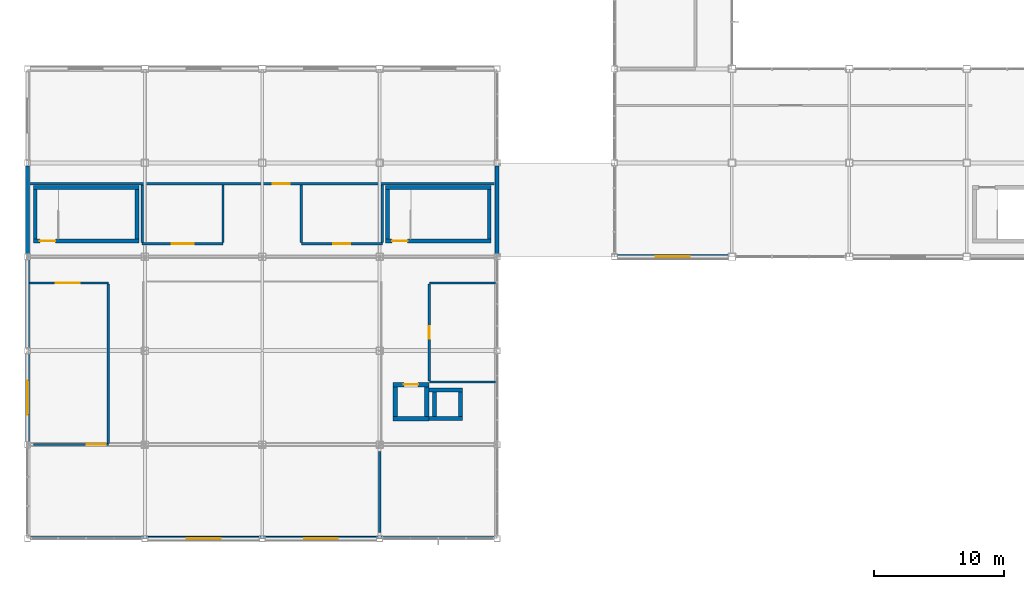
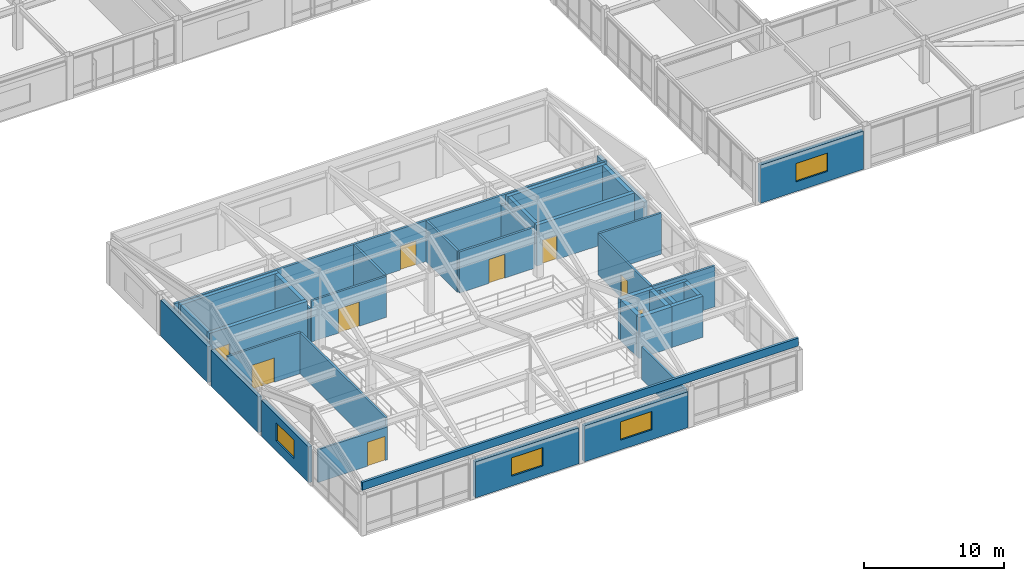
# One storey, part 92 of 113: 38 walls, 9 doors, 4 windows, 13 openings.
"""IFC4 building model written with IfcOpenShell, lengths in metres."""

import ifcopenshell
import ifcopenshell.guid

model = None  # the IFC model being written
_history = None  # IfcOwnerHistory: only IFC2X3 demands one
_inside = {}  # id of a spatial element -> (the spatial element, [elements in it])
_under = {}  # id of a project, library or spatial element -> (it, [spatial elements below it])
_declared = {}  # id of a project -> (the project, [libraries it declares])
_typed = {}  # id of a type object -> (the type object, [elements of that type])
_made_of = {}  # id of a material, layer set ... -> (it, [elements and type objects made of it])


def new_model(schema):
    """Start an empty IFC model of exactly this schema.

    Asked for "IFC4X3", IfcOpenShell would pick the latest addendum, in which some entities
    have other attributes; the version numbers below select the first issue.
    IFC2X3 requires an IfcOwnerHistory on every rooted entity: one is made here for all.
    """
    global model, _history
    if schema == "IFC4X3":
        model = ifcopenshell.file(schema_version=(4, 3, 0, 0))
    else:
        model = ifcopenshell.file(schema=schema)
    _inside.clear()
    _under.clear()
    _declared.clear()
    _typed.clear()
    _made_of.clear()
    _history = None
    if model.schema == "IFC2X3":
        org = make("IfcOrganization", Name="unknown")
        user = make(
            "IfcPersonAndOrganization",
            ThePerson=make("IfcPerson", FamilyName="unknown"),
            TheOrganization=org,
        )
        app = make(
            "IfcApplication",
            ApplicationDeveloper=org,
            Version="unknown",
            ApplicationFullName="unknown",
            ApplicationIdentifier="unknown",
        )
        _history = make(
            "IfcOwnerHistory",
            OwningUser=user,
            OwningApplication=app,
            ChangeAction="ADDED",
            CreationDate=0,
        )
    return model


def make(cls, **values):
    """One entity of the class cls with the attributes given. An attribute that is None is left unset."""
    return model.create_entity(
        cls, **{name: value for name, value in values.items() if value is not None}
    )


def rooted(cls, **values):
    """An entity with a GlobalId (a new one), such as an element, a storey or a relation."""
    return make(cls, GlobalId=ifcopenshell.guid.new(), OwnerHistory=_history, **values)


def si_unit(unit_type, name, prefix=None):
    """IfcSIUnit, for example si_unit("LENGTHUNIT", "METRE", prefix="MILLI")."""
    return make("IfcSIUnit", UnitType=unit_type, Prefix=prefix, Name=name)


def assignment(units):
    """IfcUnitAssignment: the units of a project."""
    return None if units is None else make("IfcUnitAssignment", Units=units)


def point(xyz):
    """IfcCartesianPoint."""
    return None if xyz is None else make("IfcCartesianPoint", Coordinates=xyz)


def direction(xyz):
    """IfcDirection."""
    return None if xyz is None else make("IfcDirection", DirectionRatios=xyz)


def frame(location, z_axis=None, x_axis=None):
    """IfcAxis2Placement3D, a coordinate frame: its origin and axes. An axis left out is left unset."""
    return make(
        "IfcAxis2Placement3D",
        Location=point(location),
        Axis=direction(z_axis),
        RefDirection=direction(x_axis),
    )


def frame_2d(location, x_axis=None):
    """IfcAxis2Placement2D, a coordinate frame in the plane: its origin and x axis."""
    return make(
        "IfcAxis2Placement2D", Location=point(location), RefDirection=direction(x_axis)
    )


def origin():
    """The frame at (0, 0, 0) with its axes left unset."""
    return frame((0.0, 0.0, 0.0))


def place(relative_to, where):
    """IfcLocalPlacement: puts the frame where relative to a parent placement (None: the world)."""
    return make(
        "IfcLocalPlacement", PlacementRelTo=relative_to, RelativePlacement=where
    )


def context(
    kind, dimensions, precision=None, world=None, true_north=None, identifier=None
):
    """IfcGeometricRepresentationContext, for example the 3D "Model" context."""
    return make(
        "IfcGeometricRepresentationContext",
        ContextIdentifier=identifier,
        ContextType=kind,
        CoordinateSpaceDimension=dimensions,
        Precision=precision,
        WorldCoordinateSystem=world,
        TrueNorth=true_north,
    )


def subcontext(parent, identifier, kind, view, scale=None):
    """IfcGeometricRepresentationSubContext, for example "Body" below "Model"."""
    return make(
        "IfcGeometricRepresentationSubContext",
        ContextIdentifier=identifier,
        ContextType=kind,
        ParentContext=parent,
        TargetScale=scale,
        TargetView=view,
    )


def project(units=None, contexts=None):
    """IfcProject with its units and contexts."""
    return rooted(
        "IfcProject",
        Name="project",
        RepresentationContexts=contexts,
        UnitsInContext=assignment(units),
    )


def spatial(cls, under=None, at=None, **own):
    """A site, building, storey or space (cls), placed at a placement, below another one or the project."""
    s = rooted(cls, ObjectPlacement=at, **own)
    if under is not None:
        _under.setdefault(under.id(), (under, []))[1].append(s)
    return s


def profile(cls, at=None, kind="AREA", **sizes):
    """A parametric profile (cls). Its sizes go by their IFC names, for example OverallWidth=200.0."""
    return make(cls, ProfileType=kind, Position=at, **sizes)


def rectangle(**sizes):
    """IfcRectangleProfileDef."""
    return profile("IfcRectangleProfileDef", **sizes)


def extrude(swept, where, along, depth):
    """IfcExtrudedAreaSolid: the profile swept, set in the frame where, extruded along a direction by depth."""
    return make(
        "IfcExtrudedAreaSolid",
        SweptArea=swept,
        Position=where,
        ExtrudedDirection=direction(along),
        Depth=depth,
    )


def shape(context_of_items, identifier, shape_type, items):
    """IfcShapeRepresentation: the items that make up one representation, for example the "Body"."""
    return make(
        "IfcShapeRepresentation",
        ContextOfItems=context_of_items,
        RepresentationIdentifier=identifier,
        RepresentationType=shape_type,
        Items=items,
    )


def material(Name=None, Category=None):
    """IfcMaterial."""
    return make("IfcMaterial", Name=Name, Category=Category)


def layer(
    of_material, thickness, ventilated=None, Name=None, Category=None, Priority=None
):
    """IfcMaterialLayer: one layer of a wall or slab, of a material (None: an air gap)."""
    return make(
        "IfcMaterialLayer",
        Material=of_material,
        LayerThickness=thickness,
        IsVentilated=ventilated,
        Name=Name,
        Category=Category,
        Priority=Priority,
    )


def layer_set(layers, Name=None):
    """IfcMaterialLayerSet."""
    return make("IfcMaterialLayerSet", MaterialLayers=layers, LayerSetName=Name)


def made_of(thing, what):
    """Note that an element or type object is made of a material, layer set ...; save() writes the relation."""
    if what is not None:
        _made_of.setdefault(what.id(), (what, []))[1].append(thing)
    return thing


def type_object(cls, material=None, **own):
    """A type object (cls), such as IfcWallType, which elements share."""
    return made_of(rooted(cls, **own), material)


def element(
    cls,
    number,
    at=None,
    inside=None,
    cuts=None,
    type_object=None,
    material=None,
    context=None,
    identifier="Body",
    shape_type=None,
    held_by="IfcProductDefinitionShape",
    body=None,
    shapes=None,
    **own,
):
    """One element of the class cls, such as IfcWall. Its Tag is "e" and its number.

    at: its placement. inside: the storey or other place that contains it. cuts: it is an
    opening in that element (IfcRelVoidsElement). A single representation is given by context,
    identifier, shape_type and body (its items); several are given by shapes. held_by: the class
    of the entity that holds the representations. save() writes the other relations.
    """
    e = rooted(cls, Tag="e%d" % number, ObjectPlacement=at, **own)
    if body is not None:
        shapes = [shape(context, identifier, shape_type, body)]
    if shapes is not None:
        e.Representation = make(held_by, Representations=shapes)
    if inside is not None:
        _inside.setdefault(inside.id(), (inside, []))[1].append(e)
    if cuts is not None:
        rooted(
            "IfcRelVoidsElement", RelatingBuildingElement=cuts, RelatedOpeningElement=e
        )
    if type_object is not None:
        _typed.setdefault(type_object.id(), (type_object, []))[1].append(e)
    return made_of(e, material)


def fill(opening, filler):
    """IfcRelFillsElement: the door or window that sits in an opening."""
    return rooted(
        "IfcRelFillsElement",
        RelatingOpeningElement=opening,
        RelatedBuildingElement=filler,
    )


def aggregate(whole, parts):
    """IfcRelAggregates: a whole, such as a stair, and the parts it consists of."""
    return rooted("IfcRelAggregates", RelatingObject=whole, RelatedObjects=parts)


def save(model, path):
    """Write the relations noted so far, then the file.

    IfcRelAggregates (storeys below a building ...), IfcRelContainedInSpatialStructure (elements
    in a storey), IfcRelDefinesByType, IfcRelAssociatesMaterial and IfcRelDeclares: one each for
    every whole, place, type object, material and project.
    """
    for whole, parts in _under.values():
        aggregate(whole, parts)
    for where, things in _inside.values():
        rooted(
            "IfcRelContainedInSpatialStructure",
            RelatedElements=things,
            RelatingStructure=where,
        )
    for kind, things in _typed.values():
        rooted("IfcRelDefinesByType", RelatedObjects=things, RelatingType=kind)
    for what, things in _made_of.values():
        rooted("IfcRelAssociatesMaterial", RelatedObjects=things, RelatingMaterial=what)
    for by, libraries in _declared.values():
        rooted("IfcRelDeclares", RelatingContext=by, RelatedDefinitions=libraries)
    model.write(path)


model = new_model("IFC4")

# Units and contexts
model_context = context("Model", 3, precision=1e-05, world=origin(), true_north=direction((0.0, 1.0)))
body_context = subcontext(model_context, "Body", "Model", "MODEL_VIEW")
ifc_project = project(units=[si_unit("LENGTHUNIT", "METRE"), si_unit("AREAUNIT", "SQUARE_METRE"), si_unit("VOLUMEUNIT", "CUBIC_METRE"), si_unit("PLANEANGLEUNIT", "RADIAN"), si_unit("MASSUNIT", "GRAM", prefix="KILO")], contexts=[model_context])

# Site, building, storey
site_placement = place(None, origin())
site = spatial("IfcSite", under=ifc_project, at=site_placement, CompositionType="ELEMENT")
building_placement = place(site_placement, origin())
building = spatial("IfcBuilding", under=site, at=building_placement, Name="Kazanami Central Library", CompositionType="ELEMENT")
storey_placement = place(building_placement, frame((0.0, 0.0, 8.800048828125)))
storey = spatial("IfcBuildingStorey", under=building, at=storey_placement, Name="L03", CompositionType="ELEMENT", Elevation=8.800048828125)

# Wall, opening, window
ifc_material_1 = material(Name="Concrete Fc36 (36 MPa)", Category="concrete")
ifc_layer_1 = layer(ifc_material_1, 0.219970703125, Name="Concrete Fc36 (36 MPa)")
ifc_material_2 = material(Name="Extruded Polystyrene XPS", Category="earth")
ifc_layer_2 = layer(ifc_material_2, 0.050048828125, Name="Extruded Polystyrene XPS")
ifc_material_3 = material(Name="Honed Inada Granite", Category="masonry")
ifc_layer_3 = layer(ifc_material_3, 0.030029296875, Name="Honed Inada Granite")
ifc_layer_set_1 = layer_set([ifc_layer_1, ifc_layer_2, ifc_layer_3], Name="Concrete Fc36 (36 MPa)")
wall_type_1 = type_object("IfcWallType", Name="WAL-EW-300", PredefinedType="STANDARD", material=ifc_layer_set_1)
wall_1_placement = place(storey_placement, frame((0.0, 7.425048828125, 0.0), z_axis=(0.0, 0.0, 1.0), x_axis=(0.0, 1.0, 0.0)))
wall_1 = element("IfcWall", 1, at=wall_1_placement, inside=storey, type_object=wall_type_1, Name="Exterior Facade Wall EW-300 L03 W-1-01", PredefinedType="STANDARD", context=body_context, shape_type="SweptSolid", body=[
    extrude(rectangle(XDim=6.75, YDim=0.300048828125, at=frame_2d((3.375, 0.0))), origin(), (0.0, 0.0, 1.0), 3.1298828125),
])
opening_1_placement = place(wall_1_placement, frame((2.074951171875, 0.0, 0.85009765625)))
opening_1 = element("IfcOpeningElement", 2, at=opening_1_placement, cuts=wall_1, Name="Opening WN-13", PredefinedType="OPENING", context=body_context, shape_type="SweptSolid", body=[
    extrude(rectangle(XDim=2.60009765625, YDim=1.60009765625, at=frame_2d((1.300048828125, 0.800048828125))), frame((0.0, 0.162109375, 0.0), z_axis=(0.0, -1.0, 0.0), x_axis=(1.0, 0.0, 0.0)), (0.0, 0.0, 1.0), 0.323974609375),
])
ifc_material_4 = material(Name="Low-E Insulated Triple Glass", Category="glass")
window_type = type_object("IfcWindowType", Name="WIN-WN-13", PartitioningType="DOUBLE_PANEL_VERTICAL", PredefinedType="WINDOW", material=ifc_material_4)
window_1_placement = place(opening_1_placement, origin())
window_1 = element("IfcWindow", 3, at=window_1_placement, inside=storey, type_object=window_type, Name="Facade Window WN-13 L03 W-1-01", OverallHeight=1.60009765625, OverallWidth=2.60009765625, PartitioningType="DOUBLE_PANEL_VERTICAL", PredefinedType="WINDOW", context=body_context, shape_type="SweptSolid", body=[
    extrude(rectangle(XDim=2.60009765625, YDim=1.60009765625, at=frame_2d((1.300048828125, 0.800048828125))), frame((0.0, 0.030029296875, 0.0), z_axis=(0.0, -1.0, 0.0), x_axis=(1.0, 0.0, 0.0)), (0.0, 0.0, 1.0), 0.06005859375),
])
fill(opening_1, window_1)

# Walls
for number, where, z_axis, x_axis, name in (
    (4, (0.0, 14.625, 0.0), (0.0, 0.0, 1.0), (0.0, 1.0, 0.0), "Exterior Facade Wall EW-300 L03 W-1-02"),
    (5, (0.0, 21.824951171875, 0.0), (0.0, 0.0, 1.0), (0.0, 1.0, 0.0), "Exterior Facade Wall EW-300 L03 W-1-03"),
    (6, (36.0, 28.574951171875, 0.0), (0.0, 0.0, 1.0), (0.0, -1.0, 0.0), "Exterior Facade Wall EW-300 L03 E-5-03"),
):
    element("IfcWall", number, at=place(storey_placement, frame(where, z_axis=z_axis, x_axis=x_axis)), inside=storey, type_object=wall_type_1, Name=name, PredefinedType="STANDARD", context=body_context, shape_type="SweptSolid", body=[
        extrude(rectangle(XDim=6.75, YDim=0.300048828125, at=frame_2d((3.375, 0.0))), origin(), (0.0, 0.0, 1.0), 3.1298828125),
    ])

# Wall, opening, window
ifc_layer_4 = layer(ifc_material_1, 0.239990234375, Name="Concrete Fc36 (36 MPa)")
ifc_layer_5 = layer(ifc_material_2, 0.050048828125, Name="Extruded Polystyrene XPS")
ifc_layer_6 = layer(ifc_material_3, 0.030029296875, Name="Honed Inada Granite")
ifc_layer_set_2 = layer_set([ifc_layer_4, ifc_layer_5, ifc_layer_6], Name="Concrete Fc36 (36 MPa)")
wall_type_2 = type_object("IfcWallType", Name="WAL-EW-320", PredefinedType="STANDARD", material=ifc_layer_set_2)
wall_2_placement = place(storey_placement, frame((9.22509765625, 0.0, 0.0), z_axis=(0.0, 0.0, 1.0), x_axis=(1.0, 0.0, 0.0)))
wall_2 = element("IfcWall", 7, at=wall_2_placement, inside=storey, type_object=wall_type_2, Name="Exterior Facade Wall EW-320 L03 S-A-01", PredefinedType="STANDARD", context=body_context, shape_type="SweptSolid", body=[
    extrude(rectangle(XDim=8.5498046875, YDim=0.320068359375, at=frame_2d((4.27490234375, 0.0))), origin(), (0.0, 0.0, 1.0), 3.1298828125),
])
opening_2_placement = place(wall_2_placement, frame((2.97509765625, 0.0, 0.85009765625)))
opening_2 = element("IfcOpeningElement", 8, at=opening_2_placement, cuts=wall_2, Name="Opening WN-13", PredefinedType="OPENING", context=body_context, shape_type="SweptSolid", body=[
    extrude(rectangle(XDim=2.60009765625, YDim=1.60009765625, at=frame_2d((1.300048828125, 0.800048828125))), frame((0.0, 0.171875, 0.0), z_axis=(0.0, -1.0, 0.0), x_axis=(1.0, 0.0, 0.0)), (0.0, 0.0, 1.0), 0.343994140625),
])
window_2_placement = place(opening_2_placement, origin())
window_2 = element("IfcWindow", 9, at=window_2_placement, inside=storey, type_object=window_type, Name="Facade Window WN-13 L03 S-A-01", OverallHeight=1.60009765625, OverallWidth=2.60009765625, PartitioningType="DOUBLE_PANEL_VERTICAL", PredefinedType="WINDOW", context=body_context, shape_type="SweptSolid", body=[
    extrude(rectangle(XDim=2.60009765625, YDim=1.60009765625, at=frame_2d((1.300048828125, 0.800048828125))), frame((0.0, 0.030029296875, 0.0), z_axis=(0.0, -1.0, 0.0), x_axis=(1.0, 0.0, 0.0)), (0.0, 0.0, 1.0), 0.06005859375),
])
fill(opening_2, window_2)

wall_3_placement = place(storey_placement, frame((18.22509765625, 0.0, 0.0), z_axis=(0.0, 0.0, 1.0), x_axis=(1.0, 0.0, 0.0)))
wall_3 = element("IfcWall", 10, at=wall_3_placement, inside=storey, type_object=wall_type_2, Name="Exterior Facade Wall EW-320 L03 S-A-02", PredefinedType="STANDARD", context=body_context, shape_type="SweptSolid", body=[
    extrude(rectangle(XDim=8.5498046875, YDim=0.320068359375, at=frame_2d((4.27490234375, 0.0))), origin(), (0.0, 0.0, 1.0), 3.1298828125),
])
opening_3_placement = place(wall_3_placement, frame((2.97509765625, 0.0, 0.85009765625)))
opening_3 = element("IfcOpeningElement", 11, at=opening_3_placement, cuts=wall_3, Name="Opening WN-13", PredefinedType="OPENING", context=body_context, shape_type="SweptSolid", body=[
    extrude(rectangle(XDim=2.60009765625, YDim=1.60009765625, at=frame_2d((1.300048828125, 0.800048828125))), frame((0.0, 0.171875, 0.0), z_axis=(0.0, -1.0, 0.0), x_axis=(1.0, 0.0, 0.0)), (0.0, 0.0, 1.0), 0.343994140625),
])
window_3_placement = place(opening_3_placement, origin())
window_3 = element("IfcWindow", 12, at=window_3_placement, inside=storey, type_object=window_type, Name="Facade Window WN-13 L03 S-A-02", OverallHeight=1.60009765625, OverallWidth=2.60009765625, PartitioningType="DOUBLE_PANEL_VERTICAL", PredefinedType="WINDOW", context=body_context, shape_type="SweptSolid", body=[
    extrude(rectangle(XDim=2.60009765625, YDim=1.60009765625, at=frame_2d((1.300048828125, 0.800048828125))), frame((0.0, 0.030029296875, 0.0), z_axis=(0.0, -1.0, 0.0), x_axis=(1.0, 0.0, 0.0)), (0.0, 0.0, 1.0), 0.06005859375),
])
fill(opening_3, window_3)

wall_4_placement = place(storey_placement, frame((45.22509765625, 21.60009765625, 0.0), z_axis=(0.0, 0.0, 1.0), x_axis=(1.0, 0.0, 0.0)))
wall_4 = element("IfcWall", 13, at=wall_4_placement, inside=storey, type_object=wall_type_2, Name="Exterior Facade Wall EW-320 L03 S-D-05", PredefinedType="STANDARD", context=body_context, shape_type="SweptSolid", body=[
    extrude(rectangle(XDim=8.5, YDim=0.320068359375, at=frame_2d((4.25, 0.0))), origin(), (0.0, 0.0, 1.0), 3.329833984375),
])
opening_4_placement = place(wall_4_placement, frame((2.949951171875, 0.0, 0.85009765625)))
opening_4 = element("IfcOpeningElement", 14, at=opening_4_placement, cuts=wall_4, Name="Opening WN-13", PredefinedType="OPENING", context=body_context, shape_type="SweptSolid", body=[
    extrude(rectangle(XDim=2.60009765625, YDim=1.60009765625, at=frame_2d((1.300048828125, 0.800048828125))), frame((0.0, 0.171875, 0.0), z_axis=(0.0, -1.0, 0.0), x_axis=(1.0, 0.0, 0.0)), (0.0, 0.0, 1.0), 0.343994140625),
])
window_4_placement = place(opening_4_placement, origin())
window_4 = element("IfcWindow", 15, at=window_4_placement, inside=storey, type_object=window_type, Name="Facade Window WN-13 L03 S-D-05", OverallHeight=1.60009765625, OverallWidth=2.60009765625, PartitioningType="DOUBLE_PANEL_VERTICAL", PredefinedType="WINDOW", context=body_context, shape_type="SweptSolid", body=[
    extrude(rectangle(XDim=2.60009765625, YDim=1.60009765625, at=frame_2d((1.300048828125, 0.800048828125))), frame((0.0, 0.030029296875, 0.0), z_axis=(0.0, -1.0, 0.0), x_axis=(1.0, 0.0, 0.0)), (0.0, 0.0, 1.0), 0.06005859375),
])
fill(opening_4, window_4)

# Wall, opening, door
ifc_material_5 = material(Name="Fire-Resistant Gypsum Board GB-F", Category="gypsum")
ifc_layer_7 = layer(ifc_material_5, 0.1650390625, Name="Fire-Resistant Gypsum Board GB-F")
ifc_layer_set_3 = layer_set([ifc_layer_7], Name="Fire-Resistant Gypsum Board GB-F")
wall_type_3 = type_object("IfcWallType", Name="WAL-FW-165", PredefinedType="PARTITIONING", material=ifc_layer_set_3)
wall_5_placement = place(storey_placement, frame((0.455078125, 7.199951171875, 0.0), z_axis=(0.0, 0.0, 1.0), x_axis=(1.0, 0.0, 0.0)))
wall_5 = element("IfcWall", 16, at=wall_5_placement, inside=storey, type_object=wall_type_3, Name="Interior Partition FW-165 L03 RM-04 (South)", PredefinedType="PARTITIONING", context=body_context, shape_type="SweptSolid", body=[
    extrude(rectangle(XDim=5.744873046875, YDim=0.1650390625, at=frame_2d((2.87255859375, 0.0))), origin(), (0.0, 0.0, 1.0), 2.85986328125),
])
opening_5_placement = place(wall_5_placement, frame((4.094970703125, 0.0, 0.0)))
opening_5 = element("IfcOpeningElement", 17, at=opening_5_placement, cuts=wall_5, Name="Opening FD30-6", PredefinedType="OPENING", context=body_context, shape_type="SweptSolid", body=[
    extrude(rectangle(XDim=1.449951171875, YDim=2.10009765625, at=frame_2d((0.72509765625, 1.050048828125))), frame((0.0, 0.094482421875, 0.0), z_axis=(0.0, -1.0, 0.0), x_axis=(1.0, 0.0, 0.0)), (0.0, 0.0, 1.0), 0.18896484375),
])
ifc_material_6 = material(Name="Cold-Rolled Steel SPCC", Category="steel")
door_type_1 = type_object("IfcDoorType", Name="DOR-FD30-6", OperationType="DOUBLE_DOOR_SINGLE_SWING", PredefinedType="DOOR", material=ifc_material_6)
door_1_placement = place(opening_5_placement, origin())
door_1 = element("IfcDoor", 18, at=door_1_placement, inside=storey, type_object=door_type_1, Name="Interior Door FD30-6 L03 RM-05", OperationType="DOUBLE_DOOR_SINGLE_SWING", OverallHeight=2.10009765625, OverallWidth=1.449951171875, PredefinedType="DOOR", context=body_context, shape_type="SweptSolid", body=[
    extrude(rectangle(XDim=1.449951171875, YDim=2.10009765625, at=frame_2d((0.72509765625, 1.050048828125))), frame((0.0, 0.02490234375, 0.0), z_axis=(0.0, -1.0, 0.0), x_axis=(1.0, 0.0, 0.0)), (0.0, 0.0, 1.0), 0.050048828125),
])
fill(opening_5, door_1)

wall_6_placement = place(storey_placement, frame((0.155029296875, 19.60009765625, 0.0), z_axis=(0.0, 0.0, 1.0), x_axis=(1.0, 0.0, 0.0)))
wall_6 = element("IfcWall", 19, at=wall_6_placement, inside=storey, type_object=wall_type_3, Name="Interior Partition FW-165 L03 RM-04 (North)", PredefinedType="PARTITIONING", context=body_context, shape_type="SweptSolid", body=[
    extrude(rectangle(XDim=6.044921875, YDim=0.1650390625, at=frame_2d((3.0224609375, 0.0))), origin(), (0.0, 0.0, 1.0), 3.579833984375),
])
opening_6_placement = place(wall_6_placement, frame((2.02001953125, 0.0, 0.0)))
opening_6 = element("IfcOpeningElement", 20, at=opening_6_placement, cuts=wall_6, Name="Opening FD30-5", PredefinedType="OPENING", context=body_context, shape_type="SweptSolid", body=[
    extrude(rectangle(XDim=1.85009765625, YDim=2.1201171875, at=frame_2d((0.925048828125, 1.06005859375))), frame((0.0, 0.094482421875, 0.0), z_axis=(0.0, -1.0, 0.0), x_axis=(1.0, 0.0, 0.0)), (0.0, 0.0, 1.0), 0.18896484375),
])
door_type_2 = type_object("IfcDoorType", Name="DOR-FD30-5", OperationType="DOUBLE_DOOR_SINGLE_SWING", PredefinedType="DOOR", material=ifc_material_6)
door_2_placement = place(opening_6_placement, origin())
door_2 = element("IfcDoor", 21, at=door_2_placement, inside=storey, type_object=door_type_2, Name="Interior Door FD30-5 L03 RM-04", OperationType="DOUBLE_DOOR_SINGLE_SWING", OverallHeight=2.1201171875, OverallWidth=1.85009765625, PredefinedType="DOOR", context=body_context, shape_type="SweptSolid", body=[
    extrude(rectangle(XDim=1.85009765625, YDim=2.1201171875, at=frame_2d((0.925048828125, 1.06005859375))), frame((0.0, 0.02490234375, 0.0), z_axis=(0.0, -1.0, 0.0), x_axis=(1.0, 0.0, 0.0)), (0.0, 0.0, 1.0), 0.050048828125),
])
fill(opening_6, door_2)

# Walls
wall_7_placement = place(storey_placement, frame((6.199951171875, 7.2900390625, 0.0), z_axis=(0.0, 0.0, 1.0), x_axis=(0.0, 1.0, 0.0)))
element("IfcWall", 22, at=wall_7_placement, inside=storey, type_object=wall_type_3, Name="Interior Partition FW-165 L03 RM-04 (East)", PredefinedType="PARTITIONING", context=body_context, shape_type="SweptSolid", body=[
    extrude(rectangle(XDim=12.219970703125, YDim=0.1650390625, at=frame_2d((6.10986328125, 0.0))), origin(), (0.0, 0.0, 1.0), 3.579833984375),
])
for number, where, z_axis, x_axis, name in (
    (23, (30.800048828125, 12.0, 0.0), (0.0, 0.0, 1.0), (1.0, 0.0, 0.0), "Interior Partition FW-165 L03 RM-07 (South)"),
    (24, (30.800048828125, 19.60009765625, 0.0), (0.0, 0.0, 1.0), (1.0, 0.0, 0.0), "Interior Partition FW-165 L03 RM-07 (North)"),
):
    element("IfcWall", number, at=place(storey_placement, frame(where, z_axis=z_axis, x_axis=x_axis)), inside=storey, type_object=wall_type_3, Name=name, PredefinedType="PARTITIONING", context=body_context, shape_type="SweptSolid", body=[
        extrude(rectangle(XDim=5.1650390625, YDim=0.1650390625, at=frame_2d((2.58251953125, 0.0))), origin(), (0.0, 0.0, 1.0), 3.579833984375),
    ])

# Wall, opening, door
wall_8_placement = place(storey_placement, frame((30.800048828125, 12.090087890625, 0.0), z_axis=(0.0, 0.0, 1.0), x_axis=(0.0, 1.0, 0.0)))
wall_8 = element("IfcWall", 25, at=wall_8_placement, inside=storey, type_object=wall_type_3, Name="Interior Partition FW-165 L03 RM-07 (West)", PredefinedType="PARTITIONING", context=body_context, shape_type="SweptSolid", body=[
    extrude(rectangle(XDim=7.419921875, YDim=0.1650390625, at=frame_2d((3.7099609375, 0.0))), origin(), (0.0, 0.0, 1.0), 3.579833984375),
])
opening_7_placement = place(wall_8_placement, frame((3.219970703125, 0.0, 0.0)))
opening_7 = element("IfcOpeningElement", 26, at=opening_7_placement, cuts=wall_8, Name="Opening FD30-3", PredefinedType="OPENING", context=body_context, shape_type="SweptSolid", body=[
    extrude(rectangle(XDim=0.97998046875, YDim=2.02001953125, at=frame_2d((0.489990234375, 1.010009765625))), frame((0.0, 0.094482421875, 0.0), z_axis=(0.0, -1.0, 0.0), x_axis=(1.0, 0.0, 0.0)), (0.0, 0.0, 1.0), 0.18896484375),
])
door_type_3 = type_object("IfcDoorType", Name="DOR-FD30-3", OperationType="NOTDEFINED", PredefinedType="DOOR", material=ifc_material_6)
door_3_placement = place(opening_7_placement, origin())
door_3 = element("IfcDoor", 27, at=door_3_placement, inside=storey, type_object=door_type_3, Name="Interior Door FD30-3 L03 RM-07", OperationType="SINGLE_SWING_RIGHT", OverallHeight=2.02001953125, OverallWidth=0.97998046875, PredefinedType="DOOR", context=body_context, shape_type="SweptSolid", body=[
    extrude(rectangle(XDim=0.97998046875, YDim=2.02001953125, at=frame_2d((0.489990234375, 1.010009765625))), frame((0.0, 0.02490234375, 0.0), z_axis=(0.0, -1.0, 0.0), x_axis=(1.0, 0.0, 0.0)), (0.0, 0.0, 1.0), 0.050048828125),
])
fill(opening_7, door_3)

wall_9_placement = place(storey_placement, frame((8.800048828125, 22.60009765625, 0.0), z_axis=(0.0, 0.0, 1.0), x_axis=(1.0, 0.0, 0.0)))
wall_9 = element("IfcWall", 28, at=wall_9_placement, inside=storey, type_object=wall_type_3, Name="Interior Partition FW-165 L03 RM-10 (South)", PredefinedType="PARTITIONING", context=body_context, shape_type="SweptSolid", body=[
    extrude(rectangle(XDim=6.199951171875, YDim=0.1650390625, at=frame_2d((3.10009765625, 0.0))), origin(), (0.0, 0.0, 1.0), 3.579833984375),
])
opening_8_placement = place(wall_9_placement, frame((2.25, 0.0, 0.0)))
opening_8 = element("IfcOpeningElement", 29, at=opening_8_placement, cuts=wall_9, Name="Opening FD30-4", PredefinedType="OPENING", context=body_context, shape_type="SweptSolid", body=[
    extrude(rectangle(XDim=1.699951171875, YDim=2.1201171875, at=frame_2d((0.85009765625, 1.06005859375))), frame((0.0, 0.094482421875, 0.0), z_axis=(0.0, -1.0, 0.0), x_axis=(1.0, 0.0, 0.0)), (0.0, 0.0, 1.0), 0.18896484375),
])
door_type_4 = type_object("IfcDoorType", Name="DOR-FD30-4", OperationType="DOUBLE_DOOR_SINGLE_SWING", PredefinedType="DOOR", material=ifc_material_6)
door_4_placement = place(opening_8_placement, origin())
door_4 = element("IfcDoor", 30, at=door_4_placement, inside=storey, type_object=door_type_4, Name="Interior Door FD30-4 L03 RM-10", OperationType="DOUBLE_DOOR_SINGLE_SWING", OverallHeight=2.1201171875, OverallWidth=1.699951171875, PredefinedType="DOOR", context=body_context, shape_type="SweptSolid", body=[
    extrude(rectangle(XDim=1.699951171875, YDim=2.1201171875, at=frame_2d((0.85009765625, 1.06005859375))), frame((0.0, 0.02490234375, 0.0), z_axis=(0.0, -1.0, 0.0), x_axis=(1.0, 0.0, 0.0)), (0.0, 0.0, 1.0), 0.050048828125),
])
fill(opening_8, door_4)

# Walls
wall_10_placement = place(storey_placement, frame((8.800048828125, 22.68994140625, 0.0), z_axis=(0.0, 0.0, 1.0), x_axis=(0.0, 1.0, 0.0)))
element("IfcWall", 31, at=wall_10_placement, inside=storey, type_object=wall_type_3, Name="Interior Partition FW-165 L03 RM-10 (West)", PredefinedType="PARTITIONING", context=body_context, shape_type="SweptSolid", body=[
    extrude(rectangle(XDim=4.420166015625, YDim=0.1650390625, at=frame_2d((2.2099609375, 0.0))), origin(), (0.0, 0.0, 1.0), 2.85986328125),
])
wall_11_placement = place(storey_placement, frame((15.0, 22.68994140625, 0.0), z_axis=(0.0, 0.0, 1.0), x_axis=(0.0, 1.0, 0.0)))
element("IfcWall", 32, at=wall_11_placement, inside=storey, type_object=wall_type_3, Name="Interior Partition FW-165 L03 RM-10 (East)", PredefinedType="PARTITIONING", context=body_context, shape_type="SweptSolid", body=[
    extrude(rectangle(XDim=4.420166015625, YDim=0.1650390625, at=frame_2d((2.2099609375, 0.0))), origin(), (0.0, 0.0, 1.0), 3.579833984375),
])
ifc_layer_8 = layer(ifc_material_5, 0.179931640625, Name="Fire-Resistant Gypsum Board GB-F")
ifc_layer_set_4 = layer_set([ifc_layer_8], Name="Fire-Resistant Gypsum Board GB-F")
wall_type_4 = type_object("IfcWallType", Name="WAL-FW-180", PredefinedType="PARTITIONING", material=ifc_layer_set_4)
wall_12_placement = place(storey_placement, frame((27.0, 0.455078125, 0.0), z_axis=(0.0, 0.0, 1.0), x_axis=(0.0, 1.0, 0.0)))
element("IfcWall", 33, at=wall_12_placement, inside=storey, type_object=wall_type_4, Name="Interior Partition FW-180 L03 RM-05 (East)", PredefinedType="PARTITIONING", context=body_context, shape_type="SweptSolid", body=[
    extrude(rectangle(XDim=6.23486328125, YDim=0.179931640625, at=frame_2d((3.117431640625, 0.0))), origin(), (0.0, 0.0, 1.0), 2.85986328125),
])

# Wall, opening, door
wall_13_placement = place(storey_placement, frame((0.155029296875, 27.199951171875, 0.0), z_axis=(0.0, 0.0, 1.0), x_axis=(1.0, 0.0, 0.0)))
wall_13 = element("IfcWall", 34, at=wall_13_placement, inside=storey, type_object=wall_type_4, Name="Interior Partition FW-180 L03 RM-08 (South)", PredefinedType="PARTITIONING", context=body_context, shape_type="SweptSolid", body=[
    extrude(rectangle(XDim=35.68994140625, YDim=0.179931640625, at=frame_2d((17.844970703125, 0.0))), origin(), (0.0, 0.0, 1.0), 3.579833984375),
])
opening_9_placement = place(wall_13_placement, frame((18.64501953125, 0.0, 0.0)))
opening_9 = element("IfcOpeningElement", 35, at=opening_9_placement, cuts=wall_13, Name="Opening FD30-7", PredefinedType="OPENING", context=body_context, shape_type="SweptSolid", body=[
    extrude(rectangle(XDim=1.300048828125, YDim=2.080078125, at=frame_2d((0.64990234375, 1.0400390625))), frame((0.0, 0.10205078125, 0.0), z_axis=(0.0, -1.0, 0.0), x_axis=(1.0, 0.0, 0.0)), (0.0, 0.0, 1.0), 0.203857421875),
])
door_type_5 = type_object("IfcDoorType", Name="DOR-FD30-7", OperationType="DOUBLE_DOOR_SINGLE_SWING", PredefinedType="DOOR", material=ifc_material_6)
door_5_placement = place(opening_9_placement, origin())
door_5 = element("IfcDoor", 36, at=door_5_placement, inside=storey, type_object=door_type_5, Name="Interior Door FD30-7 L03 RM-08", OperationType="DOUBLE_DOOR_SINGLE_SWING", OverallHeight=2.080078125, OverallWidth=1.300048828125, PredefinedType="DOOR", context=body_context, shape_type="SweptSolid", body=[
    extrude(rectangle(XDim=1.300048828125, YDim=2.080078125, at=frame_2d((0.64990234375, 1.0400390625))), frame((0.0, 0.02490234375, 0.0), z_axis=(0.0, -1.0, 0.0), x_axis=(1.0, 0.0, 0.0)), (0.0, 0.0, 1.0), 0.050048828125),
])
fill(opening_9, door_5)

wall_14_placement = place(storey_placement, frame((21.0, 22.60009765625, 0.0), z_axis=(0.0, 0.0, 1.0), x_axis=(1.0, 0.0, 0.0)))
wall_14 = element("IfcWall", 37, at=wall_14_placement, inside=storey, type_object=wall_type_4, Name="Interior Partition FW-180 L03 RM-11 (South)", PredefinedType="PARTITIONING", context=body_context, shape_type="SweptSolid", body=[
    extrude(rectangle(XDim=6.199951171875, YDim=0.179931640625, at=frame_2d((3.10009765625, 0.0))), origin(), (0.0, 0.0, 1.0), 3.579833984375),
])
opening_10_placement = place(wall_14_placement, frame((2.449951171875, 0.0, 0.0)))
opening_10 = element("IfcOpeningElement", 38, at=opening_10_placement, cuts=wall_14, Name="Opening FD30-7", PredefinedType="OPENING", context=body_context, shape_type="SweptSolid", body=[
    extrude(rectangle(XDim=1.300048828125, YDim=2.080078125, at=frame_2d((0.64990234375, 1.0400390625))), frame((0.0, 0.10205078125, 0.0), z_axis=(0.0, -1.0, 0.0), x_axis=(1.0, 0.0, 0.0)), (0.0, 0.0, 1.0), 0.203857421875),
])
door_6_placement = place(opening_10_placement, origin())
door_6 = element("IfcDoor", 39, at=door_6_placement, inside=storey, type_object=door_type_5, Name="Interior Door FD30-7 L03 RM-11", OperationType="DOUBLE_DOOR_SINGLE_SWING", OverallHeight=2.080078125, OverallWidth=1.300048828125, PredefinedType="DOOR", context=body_context, shape_type="SweptSolid", body=[
    extrude(rectangle(XDim=1.300048828125, YDim=2.080078125, at=frame_2d((0.64990234375, 1.0400390625))), frame((0.0, 0.02490234375, 0.0), z_axis=(0.0, -1.0, 0.0), x_axis=(1.0, 0.0, 0.0)), (0.0, 0.0, 1.0), 0.050048828125),
])
fill(opening_10, door_6)

# Walls
wall_15_placement = place(storey_placement, frame((21.0, 22.68994140625, 0.0), z_axis=(0.0, 0.0, 1.0), x_axis=(0.0, 1.0, 0.0)))
element("IfcWall", 40, at=wall_15_placement, inside=storey, type_object=wall_type_4, Name="Interior Partition FW-180 L03 RM-11 (West)", PredefinedType="PARTITIONING", context=body_context, shape_type="SweptSolid", body=[
    extrude(rectangle(XDim=4.420166015625, YDim=0.179931640625, at=frame_2d((2.2099609375, 0.0))), origin(), (0.0, 0.0, 1.0), 3.579833984375),
])
wall_16_placement = place(storey_placement, frame((27.199951171875, 22.68994140625, 0.0), z_axis=(0.0, 0.0, 1.0), x_axis=(0.0, 1.0, 0.0)))
element("IfcWall", 41, at=wall_16_placement, inside=storey, type_object=wall_type_4, Name="Interior Partition FW-180 L03 RM-11 (East)", PredefinedType="PARTITIONING", context=body_context, shape_type="SweptSolid", body=[
    extrude(rectangle(XDim=4.420166015625, YDim=0.179931640625, at=frame_2d((2.2099609375, 0.0))), origin(), (0.0, 0.0, 1.0), 2.85986328125),
])
ifc_layer_9 = layer(ifc_material_1, 0.18994140625, Name="Concrete Fc36 (36 MPa)")
ifc_layer_set_5 = layer_set([ifc_layer_9], Name="Concrete Fc36 (36 MPa)")
wall_type_5 = type_object("IfcWallType", Name="WAL-PW-190", PredefinedType="PARAPET", material=ifc_layer_set_5)
wall_17_placement = place(storey_placement, frame((0.0, 0.094970703125, 3.800048828125), z_axis=(0.0, 0.0, 1.0), x_axis=(1.0, 0.0, 0.0)))
element("IfcWall", 42, at=wall_17_placement, inside=storey, type_object=wall_type_5, Name="Roof Eave Parapet V3-S", PredefinedType="PARAPET", context=body_context, shape_type="SweptSolid", body=[
    extrude(rectangle(XDim=36.0, YDim=0.18994140625, at=frame_2d((18.0, 0.0))), origin(), (0.0, 0.0, 1.0), 0.699951171875),
])

# Wall, opening, door
ifc_layer_10 = layer(ifc_material_1, 0.300048828125, Name="Concrete Fc36 (36 MPa)")
ifc_layer_set_6 = layer_set([ifc_layer_10], Name="Concrete Fc36 (36 MPa)")
wall_type_6 = type_object("IfcWallType", Name="WAL-SW-300", PredefinedType="SHEAR", material=ifc_layer_set_6)
wall_18_placement = place(storey_placement, frame((0.449951171875, 22.800048828125, 0.0), z_axis=(0.0, 0.0, 1.0), x_axis=(1.0, 0.0, 0.0)))
wall_18 = element("IfcWall", 43, at=wall_18_placement, inside=storey, type_object=wall_type_6, Name="Stair Core Wall ST-07 South L03", PredefinedType="SHEAR", context=body_context, shape_type="SweptSolid", body=[
    extrude(rectangle(XDim=8.10009765625, YDim=0.300048828125, at=frame_2d((4.050048828125, 0.0))), origin(), (0.0, 0.0, 1.0), 3.579833984375),
])
opening_11_placement = place(wall_18_placement, frame((0.5, 0.0, 0.0)))
opening_11 = element("IfcOpeningElement", 44, at=opening_11_placement, cuts=wall_18, Name="Opening FD60-1", PredefinedType="OPENING", context=body_context, shape_type="SweptSolid", body=[
    extrude(rectangle(XDim=1.199951171875, YDim=2.10009765625, at=frame_2d((0.60009765625, 1.050048828125))), frame((0.0, 0.162109375, 0.0), z_axis=(0.0, -1.0, 0.0), x_axis=(1.0, 0.0, 0.0)), (0.0, 0.0, 1.0), 0.323974609375),
])
door_type_6 = type_object("IfcDoorType", Name="DOR-FD60-1", OperationType="NOTDEFINED", PredefinedType="DOOR", material=ifc_material_6)
door_7_placement = place(opening_11_placement, origin())
door_7 = element("IfcDoor", 45, at=door_7_placement, inside=storey, type_object=door_type_6, Name="Escape Stair ST-07 Fire Door L03", OperationType="SINGLE_SWING_LEFT", OverallHeight=2.10009765625, OverallWidth=1.199951171875, PredefinedType="DOOR", context=body_context, shape_type="SweptSolid", body=[
    extrude(rectangle(XDim=1.199951171875, YDim=2.10009765625, at=frame_2d((0.60009765625, 1.050048828125))), frame((0.0, 0.02490234375, 0.0), z_axis=(0.0, -1.0, 0.0), x_axis=(1.0, 0.0, 0.0)), (0.0, 0.0, 1.0), 0.050048828125),
])
fill(opening_11, door_7)

# Walls
wall_19_placement = place(storey_placement, frame((0.449951171875, 26.89990234375, 0.0), z_axis=(0.0, 0.0, 1.0), x_axis=(1.0, 0.0, 0.0)))
element("IfcWall", 46, at=wall_19_placement, inside=storey, type_object=wall_type_6, Name="Stair Core Wall ST-07 North L03", PredefinedType="SHEAR", context=body_context, shape_type="SweptSolid", body=[
    extrude(rectangle(XDim=8.10009765625, YDim=0.300048828125, at=frame_2d((4.050048828125, 0.0))), origin(), (0.0, 0.0, 1.0), 3.579833984375),
])
for number, where, z_axis, x_axis, name in (
    (47, (0.60009765625, 22.949951171875, 0.0), (0.0, 0.0, 1.0), (0.0, 1.0, 0.0), "Stair Core Wall ST-07 West L03"),
    (48, (8.39990234375, 22.949951171875, 0.0), (0.0, 0.0, 1.0), (0.0, 1.0, 0.0), "Stair Core Wall ST-07 East L03"),
):
    element("IfcWall", number, at=place(storey_placement, frame(where, z_axis=z_axis, x_axis=x_axis)), inside=storey, type_object=wall_type_6, Name=name, PredefinedType="SHEAR", context=body_context, shape_type="SweptSolid", body=[
        extrude(rectangle(XDim=3.800048828125, YDim=0.300048828125, at=frame_2d((1.89990234375, 0.0))), origin(), (0.0, 0.0, 1.0), 3.579833984375),
    ])

# Wall, opening, door
wall_20_placement = place(storey_placement, frame((27.449951171875, 22.800048828125, 0.0), z_axis=(0.0, 0.0, 1.0), x_axis=(1.0, 0.0, 0.0)))
wall_20 = element("IfcWall", 49, at=wall_20_placement, inside=storey, type_object=wall_type_6, Name="Stair Core Wall ST-08 South L03", PredefinedType="SHEAR", context=body_context, shape_type="SweptSolid", body=[
    extrude(rectangle(XDim=8.10009765625, YDim=0.300048828125, at=frame_2d((4.050048828125, 0.0))), origin(), (0.0, 0.0, 1.0), 3.579833984375),
])
opening_12_placement = place(wall_20_placement, frame((0.5, 0.0, 0.0)))
opening_12 = element("IfcOpeningElement", 50, at=opening_12_placement, cuts=wall_20, Name="Opening FD60-1", PredefinedType="OPENING", context=body_context, shape_type="SweptSolid", body=[
    extrude(rectangle(XDim=1.199951171875, YDim=2.10009765625, at=frame_2d((0.60009765625, 1.050048828125))), frame((0.0, 0.162109375, 0.0), z_axis=(0.0, -1.0, 0.0), x_axis=(1.0, 0.0, 0.0)), (0.0, 0.0, 1.0), 0.323974609375),
])
door_8_placement = place(opening_12_placement, origin())
door_8 = element("IfcDoor", 51, at=door_8_placement, inside=storey, type_object=door_type_6, Name="Escape Stair ST-08 Fire Door L03", OperationType="SINGLE_SWING_RIGHT", OverallHeight=2.10009765625, OverallWidth=1.199951171875, PredefinedType="DOOR", context=body_context, shape_type="SweptSolid", body=[
    extrude(rectangle(XDim=1.199951171875, YDim=2.10009765625, at=frame_2d((0.60009765625, 1.050048828125))), frame((0.0, 0.02490234375, 0.0), z_axis=(0.0, -1.0, 0.0), x_axis=(1.0, 0.0, 0.0)), (0.0, 0.0, 1.0), 0.050048828125),
])
fill(opening_12, door_8)

# Walls
wall_21_placement = place(storey_placement, frame((27.449951171875, 26.89990234375, 0.0), z_axis=(0.0, 0.0, 1.0), x_axis=(1.0, 0.0, 0.0)))
element("IfcWall", 52, at=wall_21_placement, inside=storey, type_object=wall_type_6, Name="Stair Core Wall ST-08 North L03", PredefinedType="SHEAR", context=body_context, shape_type="SweptSolid", body=[
    extrude(rectangle(XDim=8.10009765625, YDim=0.300048828125, at=frame_2d((4.050048828125, 0.0))), origin(), (0.0, 0.0, 1.0), 3.579833984375),
])
for number, where, z_axis, x_axis, name in (
    (53, (27.60009765625, 22.949951171875, 0.0), (0.0, 0.0, 1.0), (0.0, 1.0, 0.0), "Stair Core Wall ST-08 West L03"),
    (54, (35.39990234375, 22.949951171875, 0.0), (0.0, 0.0, 1.0), (0.0, 1.0, 0.0), "Stair Core Wall ST-08 East L03"),
):
    element("IfcWall", number, at=place(storey_placement, frame(where, z_axis=z_axis, x_axis=x_axis)), inside=storey, type_object=wall_type_6, Name=name, PredefinedType="SHEAR", context=body_context, shape_type="SweptSolid", body=[
        extrude(rectangle(XDim=3.800048828125, YDim=0.300048828125, at=frame_2d((1.89990234375, 0.0))), origin(), (0.0, 0.0, 1.0), 3.579833984375),
    ])
for number, where, z_axis, x_axis, name in (
    (55, (30.77490234375, 9.199951171875, 0.0), (0.0, 0.0, 1.0), (1.0, 0.0, 0.0), "Service Riser Wall RSR-V3-A S L03"),
    (56, (30.77490234375, 11.39990234375, 0.0), (0.0, 0.0, 1.0), (1.0, 0.0, 0.0), "Service Riser Wall RSR-V3-A N L03"),
):
    element("IfcWall", number, at=place(storey_placement, frame(where, z_axis=z_axis, x_axis=x_axis)), inside=storey, type_object=wall_type_6, Name=name, PredefinedType="SHEAR", context=body_context, shape_type="SweptSolid", body=[
        extrude(rectangle(XDim=2.5751953125, YDim=0.300048828125, at=frame_2d((1.28759765625, 0.0))), origin(), (0.0, 0.0, 1.0), 3.579833984375),
    ])
for number, where, z_axis, x_axis, name in (
    (57, (31.199951171875, 9.35009765625, 0.0), (0.0, 0.0, 1.0), (0.0, 1.0, 0.0), "Service Riser Wall RSR-V3-A W L03"),
    (58, (33.199951171875, 9.35009765625, 0.0), (0.0, 0.0, 1.0), (0.0, 1.0, 0.0), "Service Riser Wall RSR-V3-A E L03"),
):
    element("IfcWall", number, at=place(storey_placement, frame(where, z_axis=z_axis, x_axis=x_axis)), inside=storey, type_object=wall_type_6, Name=name, PredefinedType="SHEAR", context=body_context, shape_type="SweptSolid", body=[
        extrude(rectangle(XDim=1.89990234375, YDim=0.300048828125, at=frame_2d((0.949951171875, 0.0))), origin(), (0.0, 0.0, 1.0), 3.579833984375),
    ])
ifc_layer_11 = layer(ifc_material_1, 0.35009765625, Name="Concrete Fc36 (36 MPa)")
ifc_layer_set_7 = layer_set([ifc_layer_11], Name="Concrete Fc36 (36 MPa)")
wall_type_7 = type_object("IfcWallType", Name="WAL-SW-350", PredefinedType="SHEAR", material=ifc_layer_set_7)
wall_22_placement = place(storey_placement, frame((28.02490234375, 9.199951171875, 0.0), z_axis=(0.0, 0.0, 1.0), x_axis=(1.0, 0.0, 0.0)))
element("IfcWall", 59, at=wall_22_placement, inside=storey, type_object=wall_type_7, Name="Lift Shaft Wall EL-P5 South L03", PredefinedType="SHEAR", context=body_context, shape_type="SweptSolid", body=[
    extrude(rectangle(XDim=2.75, YDim=0.35009765625, at=frame_2d((1.375, 0.0))), origin(), (0.0, 0.0, 1.0), 3.579833984375),
])

# Wall, opening, door
wall_23_placement = place(storey_placement, frame((28.02490234375, 11.800048828125, 0.0), z_axis=(0.0, 0.0, 1.0), x_axis=(1.0, 0.0, 0.0)))
wall_23 = element("IfcWall", 60, at=wall_23_placement, inside=storey, type_object=wall_type_7, Name="Lift Shaft Wall EL-P5 North L03", PredefinedType="SHEAR", context=body_context, shape_type="SweptSolid", body=[
    extrude(rectangle(XDim=2.75, YDim=0.35009765625, at=frame_2d((1.375, 0.0))), origin(), (0.0, 0.0, 1.0), 3.579833984375),
])
opening_13_placement = place(wall_23_placement, frame((0.824951171875, 0.0, 0.0)))
opening_13 = element("IfcOpeningElement", 61, at=opening_13_placement, cuts=wall_23, Name="Opening LD-01", PredefinedType="OPENING", context=body_context, shape_type="SweptSolid", body=[
    extrude(rectangle(XDim=1.10009765625, YDim=2.10009765625, at=frame_2d((0.550048828125, 1.050048828125))), frame((0.0, 0.18701171875, 0.0), z_axis=(0.0, -1.0, 0.0), x_axis=(1.0, 0.0, 0.0)), (0.0, 0.0, 1.0), 0.3740234375),
])
ifc_material_7 = material(Name="Stainless Steel SUS304", Category="steel")
door_type_7 = type_object("IfcDoorType", Name="DOR-LD-01", OperationType="SLIDING_TO_LEFT", PredefinedType="DOOR", material=ifc_material_7)
door_9_placement = place(opening_13_placement, origin())
door_9 = element("IfcDoor", 62, at=door_9_placement, inside=storey, type_object=door_type_7, Name="Lift Landing Sliding Door EL-P5 (L03)", OperationType="SLIDING_TO_RIGHT", OverallHeight=2.10009765625, OverallWidth=1.10009765625, PredefinedType="DOOR", context=body_context, shape_type="SweptSolid", body=[
    extrude(rectangle(XDim=1.10009765625, YDim=2.10009765625, at=frame_2d((0.550048828125, 1.050048828125))), frame((0.0, 0.02490234375, 0.0), z_axis=(0.0, -1.0, 0.0), x_axis=(1.0, 0.0, 0.0)), (0.0, 0.0, 1.0), 0.050048828125),
])
fill(opening_13, door_9)

# Walls
for number, where, z_axis, x_axis, name in (
    (63, (28.199951171875, 9.375, 0.0), (0.0, 0.0, 1.0), (0.0, 1.0, 0.0), "Lift Shaft Wall EL-P5 West L03"),
    (64, (30.60009765625, 9.375, 0.0), (0.0, 0.0, 1.0), (0.0, 1.0, 0.0), "Lift Shaft Wall EL-P5 East L03"),
):
    element("IfcWall", number, at=place(storey_placement, frame(where, z_axis=z_axis, x_axis=x_axis)), inside=storey, type_object=wall_type_7, Name=name, PredefinedType="SHEAR", context=body_context, shape_type="SweptSolid", body=[
        extrude(rectangle(XDim=2.25, YDim=0.35009765625, at=frame_2d((1.125, 0.0))), origin(), (0.0, 0.0, 1.0), 3.579833984375),
    ])

save(model, "model.ifc")
